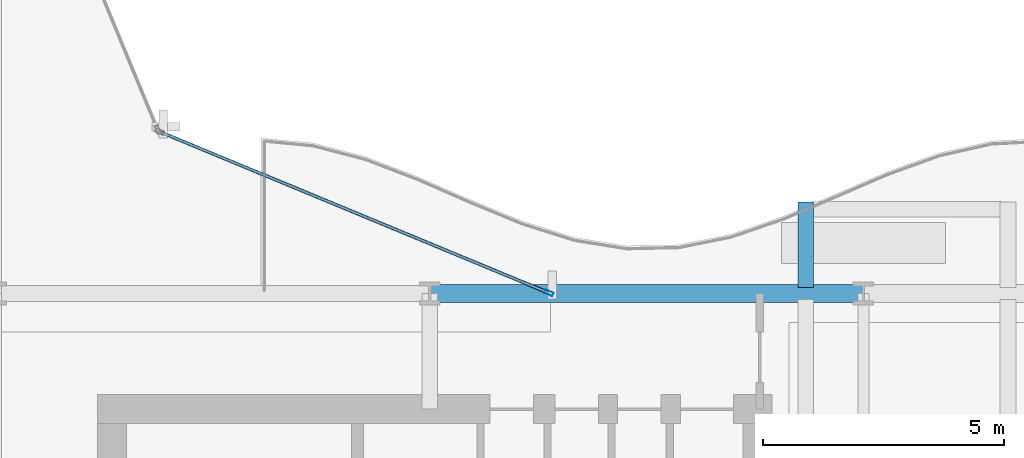
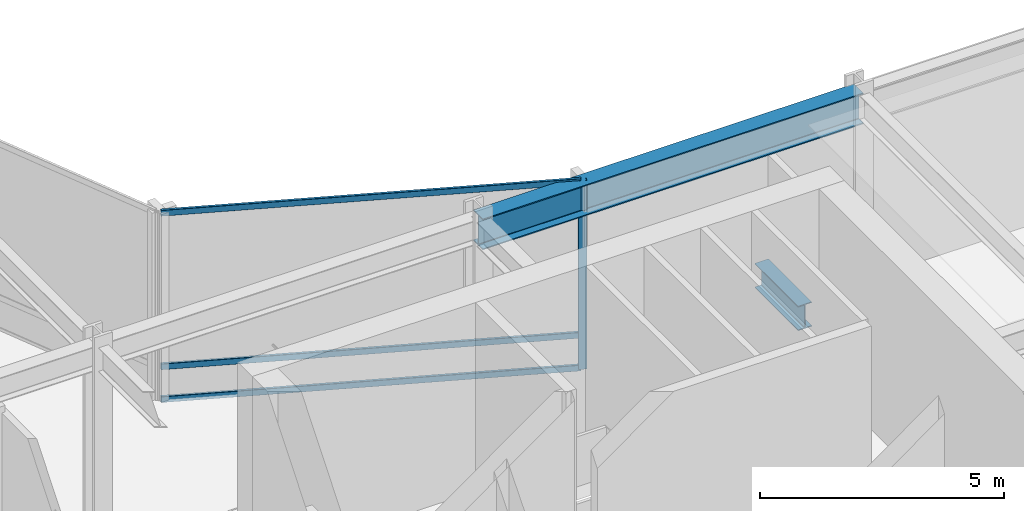
# One storey, part 16 of 39: 4 members, 2 beams, 1 element without a shape of its own.
"""IFC4 building model written with IfcOpenShell, lengths in metres."""

from ifc_helpers import new_model, si_unit, direction, frame, origin, origin_2d, place, context, subcontext, project, spatial, hollow_rectangle, i_section, extrude, material, layer, layer_set, material_profile, profile_set, type_object, element, aggregate, save


model = new_model("IFC4")

# Units and contexts
model_context = context("Model", 3, precision=1e-05, world=origin(), true_north=direction((0.0, 1.0)))
body_context = subcontext(model_context, "Body", "Model", "MODEL_VIEW")
ifc_project = project(units=[si_unit("LENGTHUNIT", "METRE"), si_unit("AREAUNIT", "SQUARE_METRE"), si_unit("VOLUMEUNIT", "CUBIC_METRE"), si_unit("PLANEANGLEUNIT", "RADIAN"), si_unit("MASSUNIT", "GRAM", prefix="KILO")], contexts=[model_context])

# Site, building, storey
site_placement = place(None, origin())
site = spatial("IfcSite", under=ifc_project, at=site_placement, CompositionType="ELEMENT")
building_placement = place(site_placement, origin())
building = spatial("IfcBuilding", under=site, at=building_placement, Name="Solvaryn Broadcast Tower", CompositionType="ELEMENT")
storey_placement = place(building_placement, frame((0.0, 0.0, 84.10009765625)))
storey = spatial("IfcBuildingStorey", under=building, at=storey_placement, Name="L20", CompositionType="ELEMENT", Elevation=84.10009765625)

# Beams
ifc_material_1 = material(Name="Steel ASTM A992 Grade 50", Category="steel")
ifc_material_profile_1 = material_profile(ifc_material_1, i_section(OverallWidth=0.323974609375, OverallDepth=0.611083984375, WebThickness=0.0126953125, FlangeThickness=0.01904296875, FilletRadius=0.014892578125, at=origin_2d()))
ifc_profile_set_1 = profile_set([ifc_material_profile_1], Name="Steel ASTM A992 Grade 50")
beam_type_1 = type_object("IfcBeamType", Name="BM-CANT-TER", PredefinedType="BEAM", material=ifc_profile_set_1)
beam_1_placement = place(storey_placement, frame((43.800048828125, 27.125, -0.635498046875), z_axis=(0.0, 1.0, 0.0), x_axis=(-1.0, 0.0, 0.0)))
element("IfcBeam", 1, at=beam_1_placement, inside=storey, type_object=beam_type_1, Name="L20 Courtyard Terrace Cantilever Beam X43.8", PredefinedType="BEAM", context=body_context, shape_type="SweptSolid", body=[
    extrude(i_section(OverallWidth=0.323974609375, OverallDepth=0.611083984375, WebThickness=0.0126953125, FlangeThickness=0.01904296875, FilletRadius=0.014892578125, at=origin_2d()), origin(), (0.0, 0.0, 1.0), 1.77490234375),
])
ifc_material_2 = material(Name="Steel ASTM A992 Grade 50", Category="steel")
ifc_material_profile_2 = material_profile(ifc_material_2, i_section(OverallWidth=0.381103515625, OverallDepth=0.77294921875, WebThickness=0.0166015625, FlangeThickness=0.027099609375, FilletRadius=0.01806640625, at=origin_2d()))
ifc_profile_set_2 = profile_set([ifc_material_profile_2], Name="Steel ASTM A992 Grade 50")
beam_type_2 = type_object("IfcBeamType", Name="BM-SP1-W30X173", PredefinedType="USERDEFINED", material=ifc_profile_set_2)
beam_2_placement = place(storey_placement, frame((36.0, 27.0, 4.33349609375), z_axis=(1.0, 0.0, 0.0), x_axis=(0.0, 1.0, 0.0)))
element("IfcBeam", 2, at=beam_2_placement, inside=storey, type_object=beam_type_2, Name="L20 Spandrel Beam X (36-45 @ Y=27)", ObjectType="SPANDREL", PredefinedType="USERDEFINED", context=body_context, shape_type="SweptSolid", body=[
    extrude(i_section(OverallWidth=0.381103515625, OverallDepth=0.77294921875, WebThickness=0.0166015625, FlangeThickness=0.027099609375, FilletRadius=0.01806640625, at=origin_2d()), origin(), (0.0, 0.0, 1.0), 9.0),
])

# Curtain wall, members
ifc_material_3 = material(Name="Aluminium and Terracotta Unitised Curtain Wall", Category="masonry")
ifc_layer = layer(ifc_material_3, 0.25)
ifc_layer_set = layer_set([ifc_layer], Name="CW-SYS4-SKYGARDEN")
curtain_wall_type = type_object("IfcCurtainWallType", Name="CW-SYS4-SKYGARDEN", PredefinedType="NOTDEFINED", material=ifc_layer_set)
curtain_wall_placement = place(storey_placement, origin())
curtain_wall = element("IfcCurtainWall", 3, at=curtain_wall_placement, inside=storey, type_object=curtain_wall_type, Name="L20 Curtain Wall CN1", PredefinedType="NOTDEFINED")
ifc_material_4 = material(Name="Anodised Aluminium 6063-T6", Category="aluminium")
ifc_material_profile_3 = material_profile(ifc_material_4, hollow_rectangle(XDim=0.074951171875, YDim=0.179931640625, WallThickness=0.00390625, InnerFilletRadius=0.00390625, OuterFilletRadius=0.008056640625, at=origin_2d()))
ifc_profile_set_3 = profile_set([ifc_material_profile_3], Name="Anodised Aluminium 6063-T6")
member_type_1 = type_object("IfcMemberType", Name="CW-MUL-180", PredefinedType="MULLION", material=ifc_profile_set_3)
member_1_placement = place(storey_placement, frame((38.47216796875, 27.011474609375, 0.0), z_axis=(0.0, 0.0, 1.0), x_axis=(-0.382646127145, -0.923894983957, 0.0)))
member_1 = element("IfcMember", 4, at=member_1_placement, type_object=member_type_1, Name="CWS4 mullion 1", PredefinedType="MULLION", context=body_context, shape_type="SweptSolid", body=[
    extrude(hollow_rectangle(XDim=0.074951171875, YDim=0.179931640625, WallThickness=0.00390625, InnerFilletRadius=0.00390625, OuterFilletRadius=0.008056640625, at=origin_2d()), origin(), (0.0, 0.0, 1.0), 4.719970703125),
])
ifc_material_5 = material(Name="Anodised Aluminium 6063-T6", Category="aluminium")
ifc_material_profile_4 = material_profile(ifc_material_5, hollow_rectangle(XDim=0.06494140625, YDim=0.14990234375, WallThickness=0.00390625, InnerFilletRadius=0.00390625, OuterFilletRadius=0.008056640625, at=origin_2d()))
ifc_profile_set_4 = profile_set([ifc_material_profile_4], Name="Anodised Aluminium 6063-T6")
member_type_2 = type_object("IfcMemberType", Name="CW-TRN-150", PredefinedType="USERDEFINED", material=ifc_profile_set_4)
member_2_placement = place(storey_placement, frame((38.444580078125, 27.02294921875, 0.02978515625), z_axis=(-0.923899282177, 0.382635748975, 0.0), x_axis=(-0.382635748975, -0.923899282177, 0.0)))
member_2 = element("IfcMember", 5, at=member_2_placement, type_object=member_type_2, Name="CWS4 transom 1.1", ObjectType="TRANSOM", PredefinedType="USERDEFINED", context=body_context, shape_type="SweptSolid", body=[
    extrude(hollow_rectangle(XDim=0.06494140625, YDim=0.14990234375, WallThickness=0.00390625, InnerFilletRadius=0.00390625, OuterFilletRadius=0.008056640625, at=origin_2d()), origin(), (0.0, 0.0, 1.0), 8.681884765625),
])
member_3_placement = place(storey_placement, frame((38.444580078125, 27.02294921875, 0.849853515625), z_axis=(-0.923899282177, 0.382635748975, 0.0), x_axis=(-0.382635748975, -0.923899282177, 0.0)))
member_3 = element("IfcMember", 6, at=member_3_placement, type_object=member_type_2, Name="CWS4 transom 1.2", ObjectType="TRANSOM", PredefinedType="USERDEFINED", context=body_context, shape_type="SweptSolid", body=[
    extrude(hollow_rectangle(XDim=0.06494140625, YDim=0.14990234375, WallThickness=0.00390625, InnerFilletRadius=0.00390625, OuterFilletRadius=0.008056640625, at=origin_2d()), origin(), (0.0, 0.0, 1.0), 8.681884765625),
])
member_4_placement = place(storey_placement, frame((38.444580078125, 27.02294921875, 4.68994140625), z_axis=(-0.923899282177, 0.382635748975, 0.0), x_axis=(-0.382635748975, -0.923899282177, 0.0)))
member_4 = element("IfcMember", 7, at=member_4_placement, type_object=member_type_2, Name="CWS4 transom 1.3", ObjectType="TRANSOM", PredefinedType="USERDEFINED", context=body_context, shape_type="SweptSolid", body=[
    extrude(hollow_rectangle(XDim=0.06494140625, YDim=0.14990234375, WallThickness=0.00390625, InnerFilletRadius=0.00390625, OuterFilletRadius=0.008056640625, at=origin_2d()), origin(), (0.0, 0.0, 1.0), 8.681884765625),
])
aggregate(curtain_wall, [member_1, member_2, member_3, member_4])

save(model, "model.ifc")
